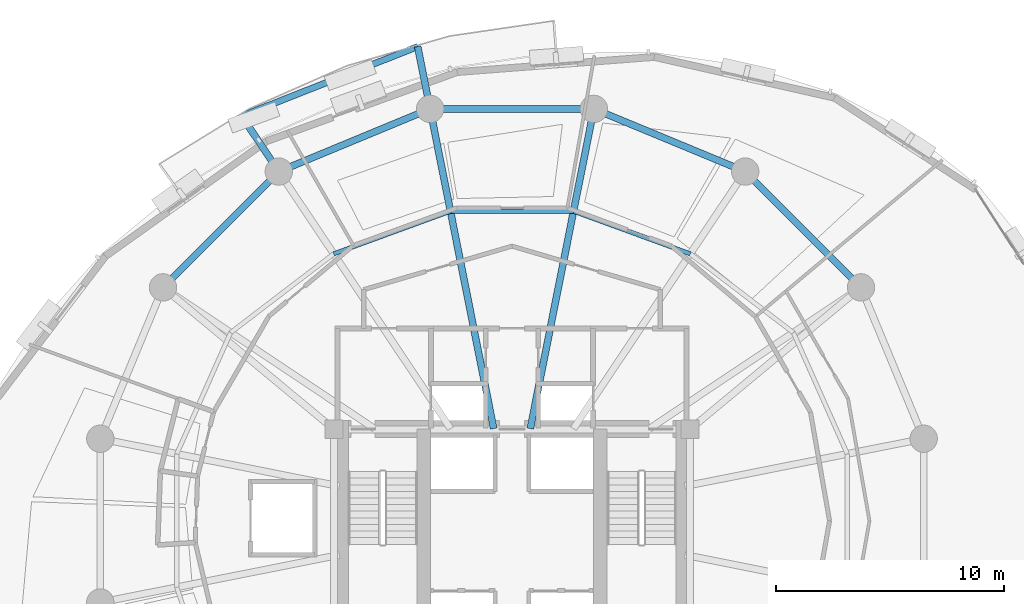
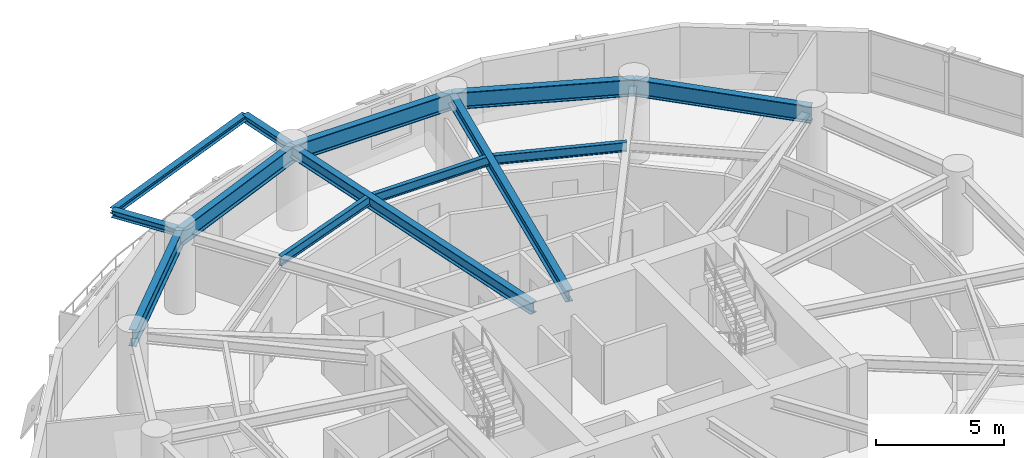
# One storey, part 7 of 15: 13 beams.
"""IFC4 building model written with IfcOpenShell, lengths in metres."""

from ifc_helpers import new_model, si_unit, direction, frame, origin, origin_2d, place, context, subcontext, project, spatial, i_section, extrude, material, material_profile, profile_set, type_object, element, save


model = new_model("IFC4")

# Units and contexts
model_context = context("Model", 3, precision=1e-05, world=origin(), true_north=direction((0.0, 1.0)))
body_context = subcontext(model_context, "Body", "Model", "MODEL_VIEW")
ifc_project = project(units=[si_unit("LENGTHUNIT", "METRE"), si_unit("AREAUNIT", "SQUARE_METRE"), si_unit("VOLUMEUNIT", "CUBIC_METRE"), si_unit("PLANEANGLEUNIT", "RADIAN"), si_unit("MASSUNIT", "GRAM", prefix="KILO"), si_unit("THERMODYNAMICTEMPERATUREUNIT", "KELVIN"), si_unit("POWERUNIT", "WATT")], contexts=[model_context])

# Site, building, storey
site_placement = place(None, origin())
site = spatial("IfcSite", under=ifc_project, at=site_placement, CompositionType="ELEMENT")
building_placement = place(site_placement, origin())
building = spatial("IfcBuilding", under=site, at=building_placement, Name="Ocrelia Relay Tower", CompositionType="ELEMENT")
storey_placement = place(building_placement, frame((0.0, 0.0, 117.800048828125)))
storey = spatial("IfcBuildingStorey", under=building, at=storey_placement, Name="L27", CompositionType="ELEMENT", Elevation=117.800048828125)

# Beams
ifc_material = material(Name="Steel S355", Category="steel")
ifc_material_profile_1 = material_profile(ifc_material, i_section(OverallWidth=0.280029296875, OverallDepth=0.27001953125, WebThickness=0.008056640625, FlangeThickness=0.012939453125, FilletRadius=0.02392578125, at=origin_2d()), Name="HEA 280")
ifc_profile_set_1 = profile_set([ifc_material_profile_1], Name="Steel S355")
beam_type_1 = type_object("IfcBeamType", Name="BM-HEA280", PredefinedType="BEAM", material=ifc_profile_set_1)
beam_1_placement = place(storey_placement, frame((29.866943359375, 46.777587890625, 3.5849609375), z_axis=(-0.930184052271, -0.367093487958, 0.0), x_axis=(0.367093487958, -0.930184052271, 0.0)))
element("IfcBeam", 1, at=beam_1_placement, inside=storey, type_object=beam_type_1, Name="L28 Balcony Edge Trimmer Beam B1", PredefinedType="BEAM", context=body_context, shape_type="SweptSolid", body=[
    extrude(i_section(OverallWidth=0.280029296875, OverallDepth=0.27001953125, WebThickness=0.008056640625, FlangeThickness=0.012939453125, FilletRadius=0.02392578125, at=origin_2d()), origin(), (0.0, 0.0, 1.0), 8.294677734375),
])
ifc_material_profile_2 = material_profile(ifc_material, i_section(OverallWidth=0.300048828125, OverallDepth=0.330078125, WebThickness=0.009521484375, FlangeThickness=0.0166015625, FilletRadius=0.027099609375, at=origin_2d()), Name="HEA 340")
ifc_profile_set_2 = profile_set([ifc_material_profile_2], Name="Steel S355")
beam_type_2 = type_object("IfcBeamType", Name="BM-HEA340", PredefinedType="BEAM", material=ifc_profile_set_2)
beam_2_placement = place(storey_placement, frame((30.410400390625, 44.04638671875, 3.554931640625), z_axis=(-0.195155034927, 0.980772405986, 0.0), x_axis=(-0.980772405986, -0.195155034927, 0.0)))
element("IfcBeam", 2, at=beam_2_placement, inside=storey, type_object=beam_type_2, Name="L28 Balcony Cantilever Beam B1-1", PredefinedType="BEAM", context=body_context, shape_type="SweptSolid", body=[
    extrude(i_section(OverallWidth=0.300048828125, OverallDepth=0.330078125, WebThickness=0.009521484375, FlangeThickness=0.0166015625, FilletRadius=0.027099609375, at=origin_2d()), origin(), (0.0, 0.0, 1.0), 2.78466796875),
])
beam_3_placement = place(storey_placement, frame((23.777587890625, 41.299072265625, 3.554931640625), z_axis=(-0.555604563207, 0.831446672579, 0.0), x_axis=(-0.831446672579, -0.555604563207, 0.0)))
element("IfcBeam", 3, at=beam_3_placement, inside=storey, type_object=beam_type_2, Name="L28 Balcony Cantilever Beam B1-2", PredefinedType="BEAM", context=body_context, shape_type="SweptSolid", body=[
    extrude(i_section(OverallWidth=0.300048828125, OverallDepth=0.330078125, WebThickness=0.009521484375, FlangeThickness=0.0166015625, FilletRadius=0.027099609375, at=origin_2d()), origin(), (0.0, 0.0, 1.0), 2.927001953125),
])
ifc_material_profile_3 = material_profile(ifc_material, i_section(OverallWidth=0.300048828125, OverallDepth=0.550048828125, WebThickness=0.014892578125, FlangeThickness=0.029052734375, FilletRadius=0.027099609375, at=origin_2d()), Name="HEB 550")
ifc_profile_set_3 = profile_set([ifc_material_profile_3], Name="Steel S355")
beam_type_3 = type_object("IfcBeamType", Name="BM-HEB550", PredefinedType="BEAM", material=ifc_profile_set_3)
for number, where, z_axis, x_axis, name in (
    (4, (37.589599609375, 44.04638671875, 3.445068359375), (-0.195094300142, -0.980784489096, 0.0), (0.980784489096, -0.195094300142, 0.0), "L27 Radial Floor Girder R04"),
    (5, (30.410400390625, 44.04638671875, 3.445068359375), (0.195094300142, -0.980784489096, 0.0), (0.980784489096, 0.195094300142, 0.0), "L27 Radial Floor Girder R05"),
):
    element("IfcBeam", number, at=place(storey_placement, frame(where, z_axis=z_axis, x_axis=x_axis)), inside=storey, type_object=beam_type_3, Name=name, PredefinedType="BEAM", context=body_context, shape_type="SweptSolid", body=[
        extrude(i_section(OverallWidth=0.300048828125, OverallDepth=0.550048828125, WebThickness=0.014892578125, FlangeThickness=0.029052734375, FilletRadius=0.027099609375, at=origin_2d()), origin(), (0.0, 0.0, 1.0), 14.291015625),
    ])
ifc_material_profile_4 = material_profile(ifc_material, i_section(OverallWidth=0.300048828125, OverallDepth=0.800048828125, WebThickness=0.017578125, FlangeThickness=0.032958984375, FilletRadius=0.030029296875, at=origin_2d()), Name="HEB 800")
ifc_profile_set_4 = profile_set([ifc_material_profile_4], Name="Steel S355")
beam_type_4 = type_object("IfcBeamType", Name="BM-HEB800", PredefinedType="BEAM", material=ifc_profile_set_4)
beam_4_placement = place(storey_placement, frame((49.299072265625, 36.222412109375, 3.320068359375), z_axis=(-0.707106781187, 0.707106781187, 0.0), x_axis=(-0.707106781187, -0.707106781187, 0.0)))
element("IfcBeam", 6, at=beam_4_placement, inside=storey, type_object=beam_type_4, Name="L27 Perimeter Spandrel Beam S02", PredefinedType="BEAM", context=body_context, shape_type="SweptSolid", body=[
    extrude(i_section(OverallWidth=0.300048828125, OverallDepth=0.800048828125, WebThickness=0.017578125, FlangeThickness=0.032958984375, FilletRadius=0.030029296875, at=origin_2d()), origin(), (0.0, 0.0, 1.0), 7.179443359375),
])
for number, where, z_axis, x_axis, name in (
    (7, (44.222412109375, 41.299072265625, 3.320068359375), (-0.923883789366, 0.382673155247, 0.0), (-0.382673155247, -0.923883789366, 0.0), "L27 Perimeter Spandrel Beam S03"),
    (8, (37.589599609375, 44.04638671875, 3.320068359375), (-1.0, 0.0, 0.0), (0.0, -1.0, 0.0), "L27 Perimeter Spandrel Beam S04"),
    (9, (30.410400390625, 44.04638671875, 3.320068359375), (-0.923883789366, -0.382673155247, 0.0), (0.382673155247, -0.923883789366, 0.0), "L27 Perimeter Spandrel Beam S05"),
):
    element("IfcBeam", number, at=place(storey_placement, frame(where, z_axis=z_axis, x_axis=x_axis)), inside=storey, type_object=beam_type_4, Name=name, PredefinedType="BEAM", context=body_context, shape_type="SweptSolid", body=[
        extrude(i_section(OverallWidth=0.300048828125, OverallDepth=0.800048828125, WebThickness=0.017578125, FlangeThickness=0.032958984375, FilletRadius=0.030029296875, at=origin_2d()), origin(), (0.0, 0.0, 1.0), 7.17919921875),
    ])
beam_5_placement = place(storey_placement, frame((23.777587890625, 41.299072265625, 3.320068359375), z_axis=(-0.707106781187, -0.707106781187, 0.0), x_axis=(0.707106781187, -0.707106781187, 0.0)))
element("IfcBeam", 10, at=beam_5_placement, inside=storey, type_object=beam_type_4, Name="L27 Perimeter Spandrel Beam S06", PredefinedType="BEAM", context=body_context, shape_type="SweptSolid", body=[
    extrude(i_section(OverallWidth=0.300048828125, OverallDepth=0.800048828125, WebThickness=0.017578125, FlangeThickness=0.032958984375, FilletRadius=0.030029296875, at=origin_2d()), origin(), (0.0, 0.0, 1.0), 7.179443359375),
])
ifc_material_profile_5 = material_profile(ifc_material, i_section(OverallWidth=0.18994140625, OverallDepth=0.449951171875, WebThickness=0.009521484375, FlangeThickness=0.0146484375, FilletRadius=0.02099609375, at=origin_2d()), Name="IPE 450")
ifc_profile_set_5 = profile_set([ifc_material_profile_5], Name="Steel S355")
beam_type_5 = type_object("IfcBeamType", Name="BM-IPE450", PredefinedType="JOIST", material=ifc_profile_set_5)
beam_6_placement = place(storey_placement, frame((41.81298828125, 37.69287109375, 3.494873046875), z_axis=(-0.93930687927, 0.34307810562, 0.0), x_axis=(-0.34307810562, -0.93930687927, 0.0)))
element("IfcBeam", 11, at=beam_6_placement, inside=storey, type_object=beam_type_5, Name="L27 Secondary Floor Joist J03", PredefinedType="JOIST", context=body_context, shape_type="SweptSolid", body=[
    extrude(i_section(OverallWidth=0.18994140625, OverallDepth=0.449951171875, WebThickness=0.009521484375, FlangeThickness=0.0146484375, FilletRadius=0.02099609375, at=origin_2d()), origin(), (0.0, 0.0, 1.0), 5.446044921875),
])
beam_7_placement = place(storey_placement, frame((36.697509765625, 39.561279296875, 3.494873046875), z_axis=(-1.0, 0.0, 0.0), x_axis=(0.0, -1.0, 0.0)))
element("IfcBeam", 12, at=beam_7_placement, inside=storey, type_object=beam_type_5, Name="L27 Secondary Floor Joist J04", PredefinedType="JOIST", context=body_context, shape_type="SweptSolid", body=[
    extrude(i_section(OverallWidth=0.18994140625, OverallDepth=0.449951171875, WebThickness=0.009521484375, FlangeThickness=0.0146484375, FilletRadius=0.02099609375, at=origin_2d()), origin(), (0.0, 0.0, 1.0), 5.39501953125),
])
beam_8_placement = place(storey_placement, frame((31.302490234375, 39.561279296875, 3.494873046875), z_axis=(-0.93930687927, -0.34307810562, 0.0), x_axis=(0.34307810562, -0.93930687927, 0.0)))
element("IfcBeam", 13, at=beam_8_placement, inside=storey, type_object=beam_type_5, Name="L27 Secondary Floor Joist J05", PredefinedType="JOIST", context=body_context, shape_type="SweptSolid", body=[
    extrude(i_section(OverallWidth=0.18994140625, OverallDepth=0.449951171875, WebThickness=0.009521484375, FlangeThickness=0.0146484375, FilletRadius=0.02099609375, at=origin_2d()), origin(), (0.0, 0.0, 1.0), 5.446044921875),
])

save(model, "model.ifc")
